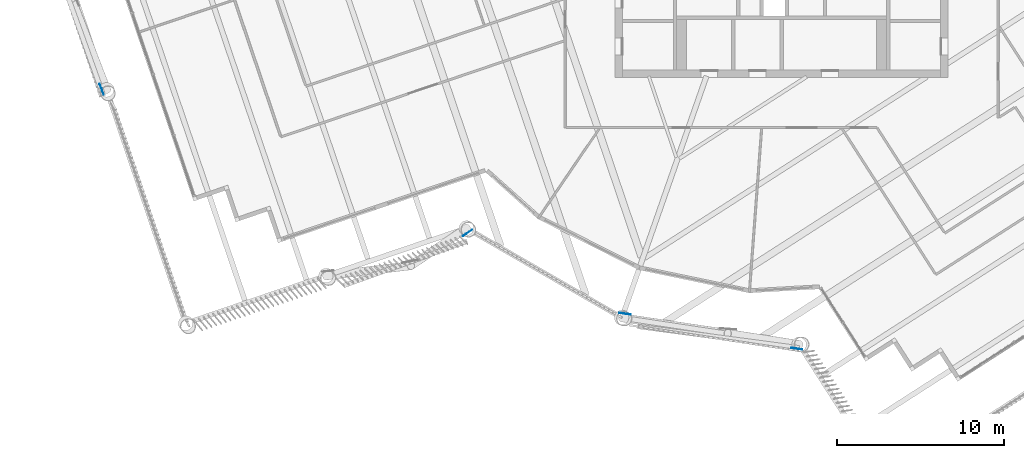
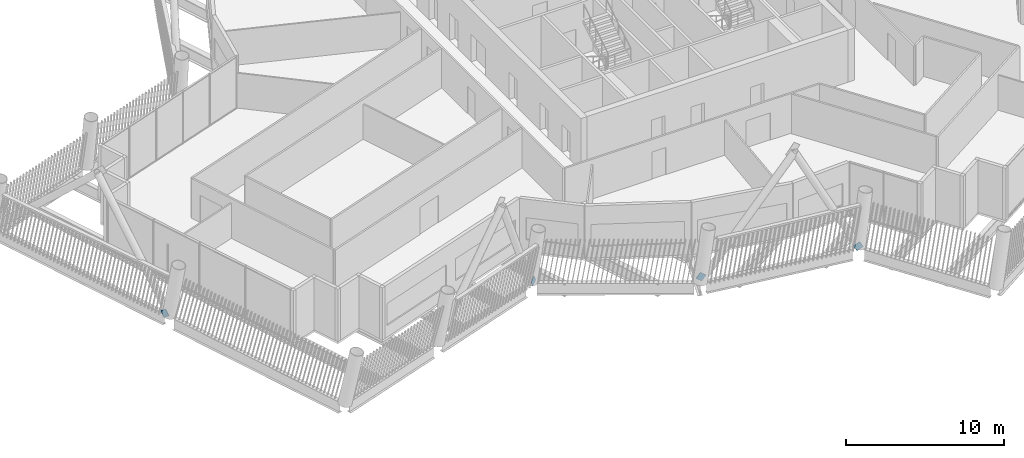
# One storey, part 25 of 35: 4 discrete accessories.
"""IFC4 building model written with IfcOpenShell, lengths in metres."""

import ifcopenshell
import ifcopenshell.guid

model = None  # the IFC model being written
_history = None  # IfcOwnerHistory: only IFC2X3 demands one
_inside = {}  # id of a spatial element -> (the spatial element, [elements in it])
_under = {}  # id of a project, library or spatial element -> (it, [spatial elements below it])
_declared = {}  # id of a project -> (the project, [libraries it declares])
_typed = {}  # id of a type object -> (the type object, [elements of that type])
_made_of = {}  # id of a material, layer set ... -> (it, [elements and type objects made of it])


def new_model(schema):
    """Start an empty IFC model of exactly this schema.

    Asked for "IFC4X3", IfcOpenShell would pick the latest addendum, in which some entities
    have other attributes; the version numbers below select the first issue.
    IFC2X3 requires an IfcOwnerHistory on every rooted entity: one is made here for all.
    """
    global model, _history
    if schema == "IFC4X3":
        model = ifcopenshell.file(schema_version=(4, 3, 0, 0))
    else:
        model = ifcopenshell.file(schema=schema)
    _inside.clear()
    _under.clear()
    _declared.clear()
    _typed.clear()
    _made_of.clear()
    _history = None
    if model.schema == "IFC2X3":
        org = make("IfcOrganization", Name="unknown")
        user = make(
            "IfcPersonAndOrganization",
            ThePerson=make("IfcPerson", FamilyName="unknown"),
            TheOrganization=org,
        )
        app = make(
            "IfcApplication",
            ApplicationDeveloper=org,
            Version="unknown",
            ApplicationFullName="unknown",
            ApplicationIdentifier="unknown",
        )
        _history = make(
            "IfcOwnerHistory",
            OwningUser=user,
            OwningApplication=app,
            ChangeAction="ADDED",
            CreationDate=0,
        )
    return model


def make(cls, **values):
    """One entity of the class cls with the attributes given. An attribute that is None is left unset."""
    return model.create_entity(
        cls, **{name: value for name, value in values.items() if value is not None}
    )


def rooted(cls, **values):
    """An entity with a GlobalId (a new one), such as an element, a storey or a relation."""
    return make(cls, GlobalId=ifcopenshell.guid.new(), OwnerHistory=_history, **values)


def si_unit(unit_type, name, prefix=None):
    """IfcSIUnit, for example si_unit("LENGTHUNIT", "METRE", prefix="MILLI")."""
    return make("IfcSIUnit", UnitType=unit_type, Prefix=prefix, Name=name)


def assignment(units):
    """IfcUnitAssignment: the units of a project."""
    return None if units is None else make("IfcUnitAssignment", Units=units)


def point(xyz):
    """IfcCartesianPoint."""
    return None if xyz is None else make("IfcCartesianPoint", Coordinates=xyz)


def direction(xyz):
    """IfcDirection."""
    return None if xyz is None else make("IfcDirection", DirectionRatios=xyz)


def frame(location, z_axis=None, x_axis=None):
    """IfcAxis2Placement3D, a coordinate frame: its origin and axes. An axis left out is left unset."""
    return make(
        "IfcAxis2Placement3D",
        Location=point(location),
        Axis=direction(z_axis),
        RefDirection=direction(x_axis),
    )


def frame_2d(location, x_axis=None):
    """IfcAxis2Placement2D, a coordinate frame in the plane: its origin and x axis."""
    return make(
        "IfcAxis2Placement2D", Location=point(location), RefDirection=direction(x_axis)
    )


def origin():
    """The frame at (0, 0, 0) with its axes left unset."""
    return frame((0.0, 0.0, 0.0))


def origin_2d():
    """The frame at (0, 0) in the plane with its x axis left unset."""
    return frame_2d((0.0, 0.0))


def place(relative_to, where):
    """IfcLocalPlacement: puts the frame where relative to a parent placement (None: the world)."""
    return make(
        "IfcLocalPlacement", PlacementRelTo=relative_to, RelativePlacement=where
    )


def context(
    kind, dimensions, precision=None, world=None, true_north=None, identifier=None
):
    """IfcGeometricRepresentationContext, for example the 3D "Model" context."""
    return make(
        "IfcGeometricRepresentationContext",
        ContextIdentifier=identifier,
        ContextType=kind,
        CoordinateSpaceDimension=dimensions,
        Precision=precision,
        WorldCoordinateSystem=world,
        TrueNorth=true_north,
    )


def subcontext(parent, identifier, kind, view, scale=None):
    """IfcGeometricRepresentationSubContext, for example "Body" below "Model"."""
    return make(
        "IfcGeometricRepresentationSubContext",
        ContextIdentifier=identifier,
        ContextType=kind,
        ParentContext=parent,
        TargetScale=scale,
        TargetView=view,
    )


def project(units=None, contexts=None):
    """IfcProject with its units and contexts."""
    return rooted(
        "IfcProject",
        Name="project",
        RepresentationContexts=contexts,
        UnitsInContext=assignment(units),
    )


def spatial(cls, under=None, at=None, **own):
    """A site, building, storey or space (cls), placed at a placement, below another one or the project."""
    s = rooted(cls, ObjectPlacement=at, **own)
    if under is not None:
        _under.setdefault(under.id(), (under, []))[1].append(s)
    return s


def profile(cls, at=None, kind="AREA", **sizes):
    """A parametric profile (cls). Its sizes go by their IFC names, for example OverallWidth=200.0."""
    return make(cls, ProfileType=kind, Position=at, **sizes)


def rectangle(**sizes):
    """IfcRectangleProfileDef."""
    return profile("IfcRectangleProfileDef", **sizes)


def extrude(swept, where, along, depth):
    """IfcExtrudedAreaSolid: the profile swept, set in the frame where, extruded along a direction by depth."""
    return make(
        "IfcExtrudedAreaSolid",
        SweptArea=swept,
        Position=where,
        ExtrudedDirection=direction(along),
        Depth=depth,
    )


def shape(context_of_items, identifier, shape_type, items):
    """IfcShapeRepresentation: the items that make up one representation, for example the "Body"."""
    return make(
        "IfcShapeRepresentation",
        ContextOfItems=context_of_items,
        RepresentationIdentifier=identifier,
        RepresentationType=shape_type,
        Items=items,
    )


def material(Name=None, Category=None):
    """IfcMaterial."""
    return make("IfcMaterial", Name=Name, Category=Category)


def material_profile(
    of_material, cross_section, Name=None, Category=None, Priority=None
):
    """IfcMaterialProfile: a cross section and its material."""
    return make(
        "IfcMaterialProfile",
        Name=Name,
        Material=of_material,
        Profile=cross_section,
        Priority=Priority,
        Category=Category,
    )


def profile_set(profiles, Name=None, composite=None):
    """IfcMaterialProfileSet."""
    return make(
        "IfcMaterialProfileSet",
        Name=Name,
        MaterialProfiles=profiles,
        CompositeProfile=composite,
    )


def made_of(thing, what):
    """Note that an element or type object is made of a material, layer set ...; save() writes the relation."""
    if what is not None:
        _made_of.setdefault(what.id(), (what, []))[1].append(thing)
    return thing


def type_object(cls, material=None, **own):
    """A type object (cls), such as IfcWallType, which elements share."""
    return made_of(rooted(cls, **own), material)


def element(
    cls,
    number,
    at=None,
    inside=None,
    cuts=None,
    type_object=None,
    material=None,
    context=None,
    identifier="Body",
    shape_type=None,
    held_by="IfcProductDefinitionShape",
    body=None,
    shapes=None,
    **own,
):
    """One element of the class cls, such as IfcWall. Its Tag is "e" and its number.

    at: its placement. inside: the storey or other place that contains it. cuts: it is an
    opening in that element (IfcRelVoidsElement). A single representation is given by context,
    identifier, shape_type and body (its items); several are given by shapes. held_by: the class
    of the entity that holds the representations. save() writes the other relations.
    """
    e = rooted(cls, Tag="e%d" % number, ObjectPlacement=at, **own)
    if body is not None:
        shapes = [shape(context, identifier, shape_type, body)]
    if shapes is not None:
        e.Representation = make(held_by, Representations=shapes)
    if inside is not None:
        _inside.setdefault(inside.id(), (inside, []))[1].append(e)
    if cuts is not None:
        rooted(
            "IfcRelVoidsElement", RelatingBuildingElement=cuts, RelatedOpeningElement=e
        )
    if type_object is not None:
        _typed.setdefault(type_object.id(), (type_object, []))[1].append(e)
    return made_of(e, material)


def aggregate(whole, parts):
    """IfcRelAggregates: a whole, such as a stair, and the parts it consists of."""
    return rooted("IfcRelAggregates", RelatingObject=whole, RelatedObjects=parts)


def save(model, path):
    """Write the relations noted so far, then the file.

    IfcRelAggregates (storeys below a building ...), IfcRelContainedInSpatialStructure (elements
    in a storey), IfcRelDefinesByType, IfcRelAssociatesMaterial and IfcRelDeclares: one each for
    every whole, place, type object, material and project.
    """
    for whole, parts in _under.values():
        aggregate(whole, parts)
    for where, things in _inside.values():
        rooted(
            "IfcRelContainedInSpatialStructure",
            RelatedElements=things,
            RelatingStructure=where,
        )
    for kind, things in _typed.values():
        rooted("IfcRelDefinesByType", RelatedObjects=things, RelatingType=kind)
    for what, things in _made_of.values():
        rooted("IfcRelAssociatesMaterial", RelatedObjects=things, RelatingMaterial=what)
    for by, libraries in _declared.values():
        rooted("IfcRelDeclares", RelatingContext=by, RelatedDefinitions=libraries)
    model.write(path)


model = new_model("IFC4")

# Units and contexts
model_context = context("Model", 3, precision=1e-05, world=origin(), true_north=direction((0.0, 1.0)))
body_context = subcontext(model_context, "Body", "Model", "MODEL_VIEW")
ifc_project = project(units=[si_unit("LENGTHUNIT", "METRE"), si_unit("AREAUNIT", "SQUARE_METRE"), si_unit("VOLUMEUNIT", "CUBIC_METRE"), si_unit("PLANEANGLEUNIT", "RADIAN"), si_unit("MASSUNIT", "GRAM", prefix="KILO")], contexts=[model_context])

# Site, building, storey
site_placement = place(None, origin())
site = spatial("IfcSite", under=ifc_project, at=site_placement, CompositionType="ELEMENT")
building_placement = place(site_placement, origin())
building = spatial("IfcBuilding", under=site, at=building_placement, Name="Tarsis Ring Headquarters", CompositionType="ELEMENT")
storey_placement = place(building_placement, frame((0.0, 0.0, 360.800048828125)))
storey = spatial("IfcBuildingStorey", under=building, at=storey_placement, Name="L85", CompositionType="ELEMENT", Elevation=360.800048828125)

# Discrete accessories
ifc_material = material(Name="Structural steel S355", Category="steel")
ifc_material_profile = material_profile(ifc_material, rectangle(XDim=0.02490234375, YDim=0.5, at=origin_2d()), Name="PL 25x500")
ifc_profile_set = profile_set([ifc_material_profile], Name="Structural steel S355")
discrete_accessory_type = type_object("IfcDiscreteAccessoryType", Name="Gusset plate Exo brace 25", PredefinedType="BRACKET", material=ifc_profile_set)
discrete_accessory_1_placement = place(storey_placement, frame((-9.55224609375, -27.15576171875, 0.0), z_axis=(0.600668360796, -0.088879383467, 0.794542620338), x_axis=(0.146373774579, 0.989229355668, 0.0)))
element("IfcDiscreteAccessory", 1, at=discrete_accessory_1_placement, inside=storey, type_object=discrete_accessory_type, Name="Gusset plate GP5", PredefinedType="BRACKET", context=body_context, shape_type="SweptSolid", body=[
    extrude(rectangle(XDim=0.02490234375, YDim=0.5, at=origin_2d()), origin(), (0.0, 0.0, 1.0), 0.5),
])
discrete_accessory_2_placement = place(storey_placement, frame((1.018310546875, -29.29248046875, 0.0), z_axis=(-0.454277868444, 0.070828269811, 0.888039962185), x_axis=(-0.154052774221, -0.988062620867, 0.0)))
element("IfcDiscreteAccessory", 2, at=discrete_accessory_2_placement, inside=storey, type_object=discrete_accessory_type, Name="Gusset plate GP5", PredefinedType="BRACKET", context=body_context, shape_type="SweptSolid", body=[
    extrude(rectangle(XDim=0.02490234375, YDim=0.5, at=origin_2d()), origin(), (0.0, 0.0, 1.0), 0.499755859375),
])
for number, where, z_axis, x_axis, name in (
    (3, (-40.784423828125, -13.832275390625, 0.0), (-0.205537936861, 0.533129280409, 0.820687106564), (-0.93305902472, -0.359723305318, 0.0), "Gusset plate GP5"),
    (4, (-18.7744140625, -22.26025390625, 0.0), (-0.359369302304, -0.24169538674, 0.901352896811), (0.558077903519, -0.829788559576, 0.0), "Gusset plate GP5"),
):
    element("IfcDiscreteAccessory", number, at=place(storey_placement, frame(where, z_axis=z_axis, x_axis=x_axis)), inside=storey, type_object=discrete_accessory_type, Name=name, PredefinedType="BRACKET", context=body_context, shape_type="SweptSolid", body=[
        extrude(rectangle(XDim=0.02490234375, YDim=0.5, at=origin_2d()), origin(), (0.0, 0.0, 1.0), 0.5),
    ])

save(model, "model.ifc")
